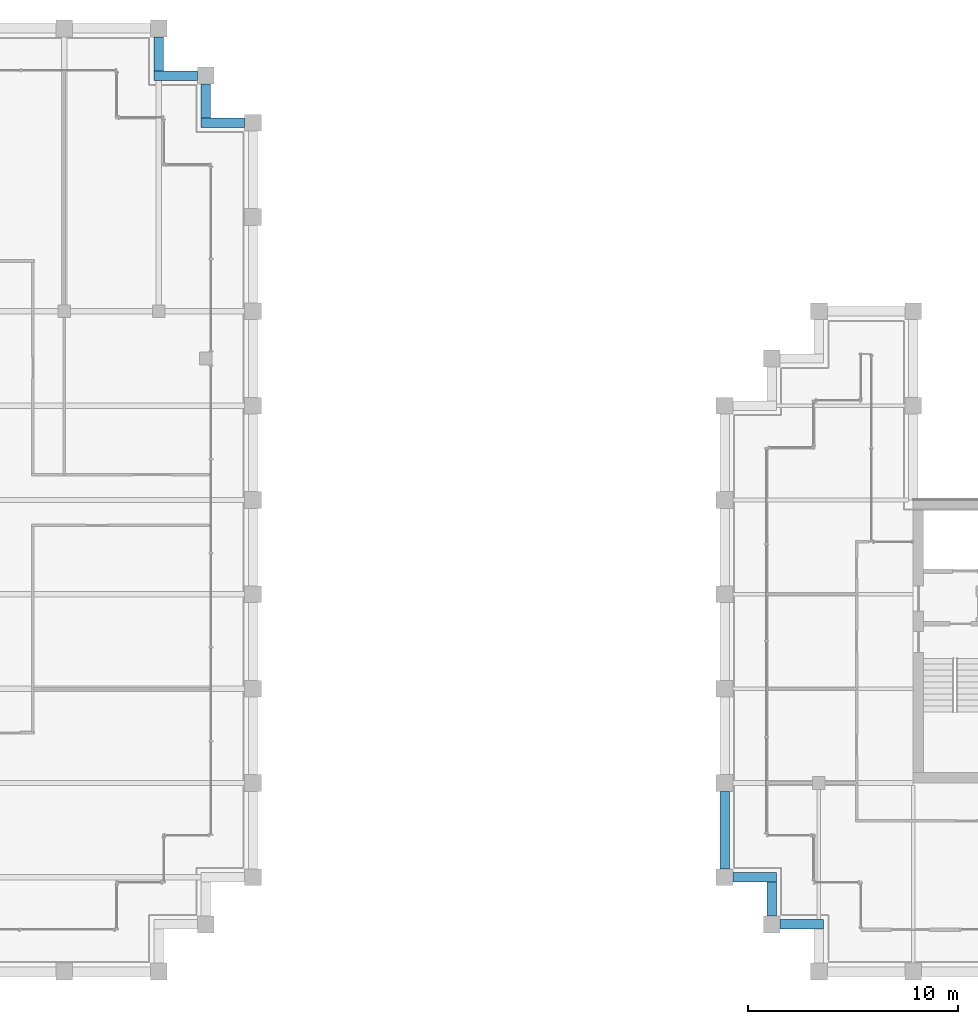
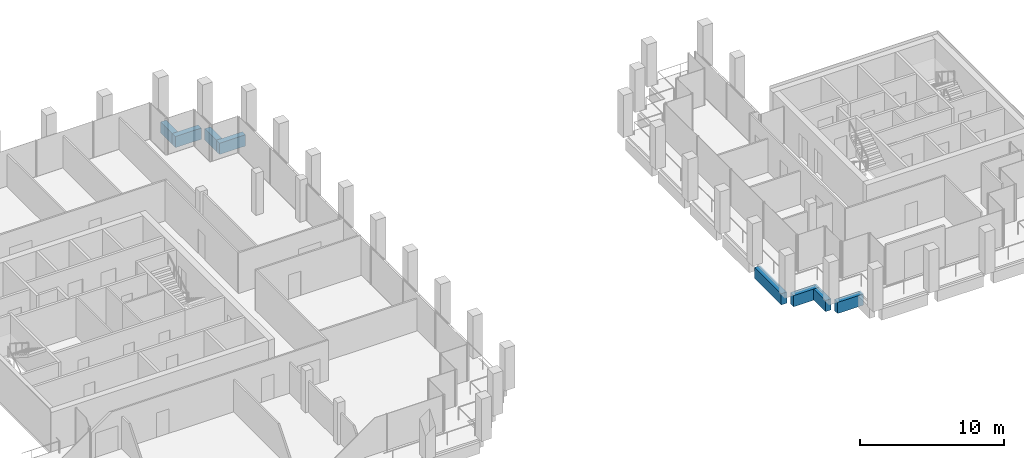
# One storey, part 27 of 40: 8 beams.
"""IFC4 building model written with IfcOpenShell, lengths in metres."""

from ifc_helpers import new_model, si_unit, direction, frame, origin, origin_2d, place, context, subcontext, project, spatial, rectangle, extrude, material, material_profile, profile_set, type_object, element, save


model = new_model("IFC4")

# Units and contexts
model_context = context("Model", 3, precision=1e-05, world=origin(), true_north=direction((0.0, 1.0)))
body_context = subcontext(model_context, "Body", "Model", "MODEL_VIEW")
ifc_project = project(units=[si_unit("LENGTHUNIT", "METRE"), si_unit("AREAUNIT", "SQUARE_METRE"), si_unit("VOLUMEUNIT", "CUBIC_METRE"), si_unit("PLANEANGLEUNIT", "RADIAN"), si_unit("MASSUNIT", "GRAM", prefix="KILO")], contexts=[model_context])

# Site, building, storey
site_placement = place(None, origin())
site = spatial("IfcSite", under=ifc_project, at=site_placement, CompositionType="ELEMENT")
building_placement = place(site_placement, origin())
building = spatial("IfcBuilding", under=site, at=building_placement, Name="Altepetl Exchange Towers", CompositionType="ELEMENT")
storey_placement = place(building_placement, frame((0.0, 0.0, 202.800048828125)))
storey = spatial("IfcBuildingStorey", under=building, at=storey_placement, Name="L51", CompositionType="ELEMENT", Elevation=202.800048828125)

# Beams
ifc_material_1 = material(Name="Concrete C50/60 precast with cantera rosa facing", Category="concrete")
ifc_material_profile_1 = material_profile(ifc_material_1, rectangle(XDim=0.449951171875, YDim=0.949951171875, at=origin_2d()), Name="450 x 950")
ifc_profile_set_1 = profile_set([ifc_material_profile_1], Name="Concrete C50/60 precast with cantera rosa facing")
beam_type_1 = type_object("IfcBeamType", Name="Spandrel beam 450x950 cantera rosa", PredefinedType="SPANDREL", material=ifc_profile_set_1)
beam_1_placement = place(storey_placement, frame((71.60009765625, 67.5, -0.625), z_axis=(-1.0, 0.0, 0.0), x_axis=(0.0, -1.0, 0.0)))
element("IfcBeam", 1, at=beam_1_placement, inside=storey, type_object=beam_type_1, Name="sp:A:L51:020", PredefinedType="SPANDREL", context=body_context, shape_type="SweptSolid", body=[
    extrude(rectangle(XDim=0.449951171875, YDim=0.949951171875, at=origin_2d()), origin(), (0.0, 0.0, 1.0), 2.0751953125),
])
beam_2_placement = place(storey_placement, frame((69.75, 67.72509765625, -0.625), z_axis=(0.0, 1.0, 0.0), x_axis=(-1.0, 0.0, 0.0)))
element("IfcBeam", 2, at=beam_2_placement, inside=storey, type_object=beam_type_1, Name="sp:A:L51:021", PredefinedType="SPANDREL", context=body_context, shape_type="SweptSolid", body=[
    extrude(rectangle(XDim=0.449951171875, YDim=0.949951171875, at=origin_2d()), origin(), (0.0, 0.0, 1.0), 1.625),
])
beam_3_placement = place(storey_placement, frame((69.35009765625, 69.75, -0.625), z_axis=(-1.0, 0.0, 0.0), x_axis=(0.0, -1.0, 0.0)))
element("IfcBeam", 3, at=beam_3_placement, inside=storey, type_object=beam_type_1, Name="sp:A:L51:022", PredefinedType="SPANDREL", context=body_context, shape_type="SweptSolid", body=[
    extrude(rectangle(XDim=0.449951171875, YDim=0.949951171875, at=origin_2d()), origin(), (0.0, 0.0, 1.0), 2.0751953125),
])
beam_4_placement = place(storey_placement, frame((67.5, 69.97509765625, -0.625), z_axis=(0.0, 1.0, 0.0), x_axis=(-1.0, 0.0, 0.0)))
element("IfcBeam", 4, at=beam_4_placement, inside=storey, type_object=beam_type_1, Name="sp:A:L51:023", PredefinedType="SPANDREL", context=body_context, shape_type="SweptSolid", body=[
    extrude(rectangle(XDim=0.449951171875, YDim=0.949951171875, at=origin_2d()), origin(), (0.0, 0.0, 1.0), 1.625),
])
ifc_material_2 = material(Name="Concrete C50/60 precast with tezontle facing", Category="concrete")
ifc_material_profile_2 = material_profile(ifc_material_2, rectangle(XDim=0.449951171875, YDim=0.949951171875, at=origin_2d()), Name="450 x 950")
ifc_profile_set_2 = profile_set([ifc_material_profile_2], Name="Concrete C50/60 precast with tezontle facing")
beam_type_2 = type_object("IfcBeamType", Name="Spandrel beam 450x950 tezontle", PredefinedType="SPANDREL", material=ifc_profile_set_2)
beam_5_placement = place(storey_placement, frame((94.5, 35.60009765625, -0.625), z_axis=(0.0, -1.0, 0.0), x_axis=(1.0, 0.0, 0.0)))
element("IfcBeam", 5, at=beam_5_placement, inside=storey, type_object=beam_type_2, Name="sp:B:L51:019", PredefinedType="SPANDREL", context=body_context, shape_type="SweptSolid", body=[
    extrude(rectangle(XDim=0.449951171875, YDim=0.949951171875, at=origin_2d()), origin(), (0.0, 0.0, 1.0), 3.7001953125),
])
beam_6_placement = place(storey_placement, frame((94.89990234375, 31.5, -0.625), z_axis=(1.0, 0.0, 0.0), x_axis=(0.0, 1.0, 0.0)))
element("IfcBeam", 6, at=beam_6_placement, inside=storey, type_object=beam_type_2, Name="sp:B:L51:020", PredefinedType="SPANDREL", context=body_context, shape_type="SweptSolid", body=[
    extrude(rectangle(XDim=0.449951171875, YDim=0.949951171875, at=origin_2d()), origin(), (0.0, 0.0, 1.0), 2.0751953125),
])
beam_7_placement = place(storey_placement, frame((96.75, 31.27490234375, -0.625), z_axis=(0.0, -1.0, 0.0), x_axis=(1.0, 0.0, 0.0)))
element("IfcBeam", 7, at=beam_7_placement, inside=storey, type_object=beam_type_2, Name="sp:B:L51:021", PredefinedType="SPANDREL", context=body_context, shape_type="SweptSolid", body=[
    extrude(rectangle(XDim=0.449951171875, YDim=0.949951171875, at=origin_2d()), origin(), (0.0, 0.0, 1.0), 1.625),
])
beam_8_placement = place(storey_placement, frame((97.14990234375, 29.25, -0.625), z_axis=(1.0, 0.0, 0.0), x_axis=(0.0, 1.0, 0.0)))
element("IfcBeam", 8, at=beam_8_placement, inside=storey, type_object=beam_type_2, Name="sp:B:L51:022", PredefinedType="SPANDREL", context=body_context, shape_type="SweptSolid", body=[
    extrude(rectangle(XDim=0.449951171875, YDim=0.949951171875, at=origin_2d()), origin(), (0.0, 0.0, 1.0), 2.0751953125),
])

save(model, "model.ifc")
